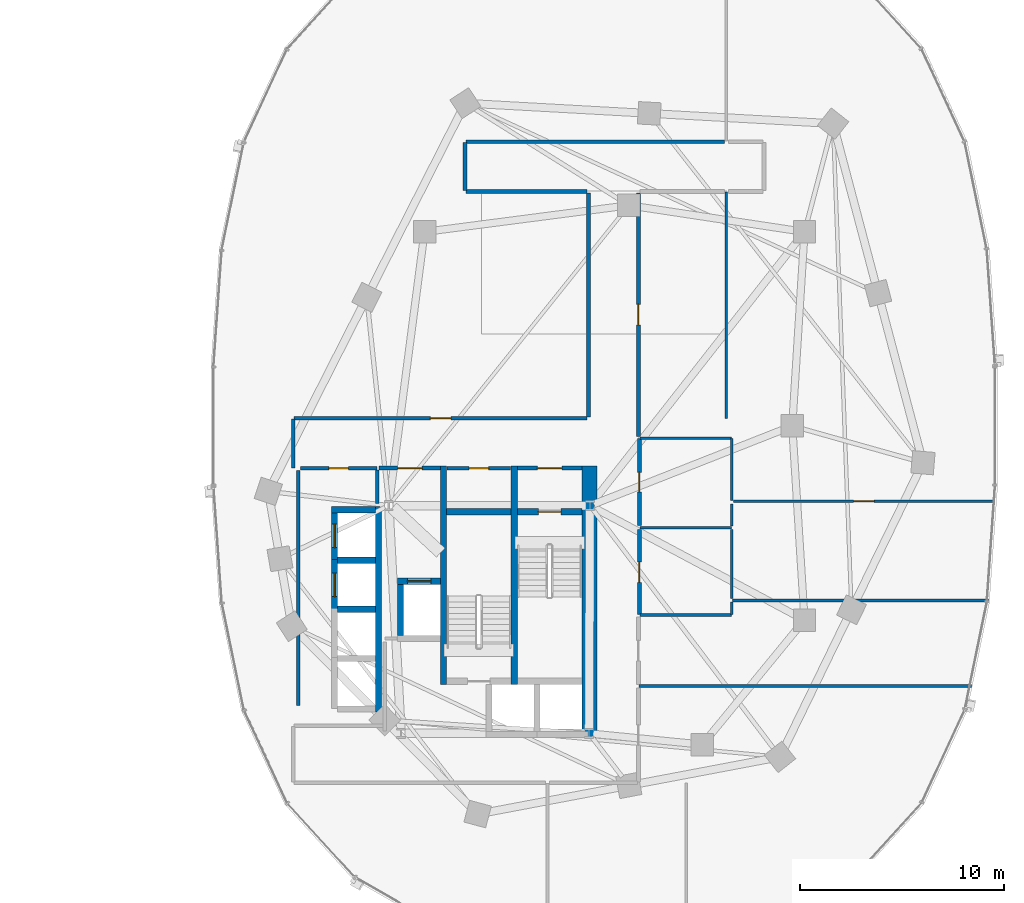
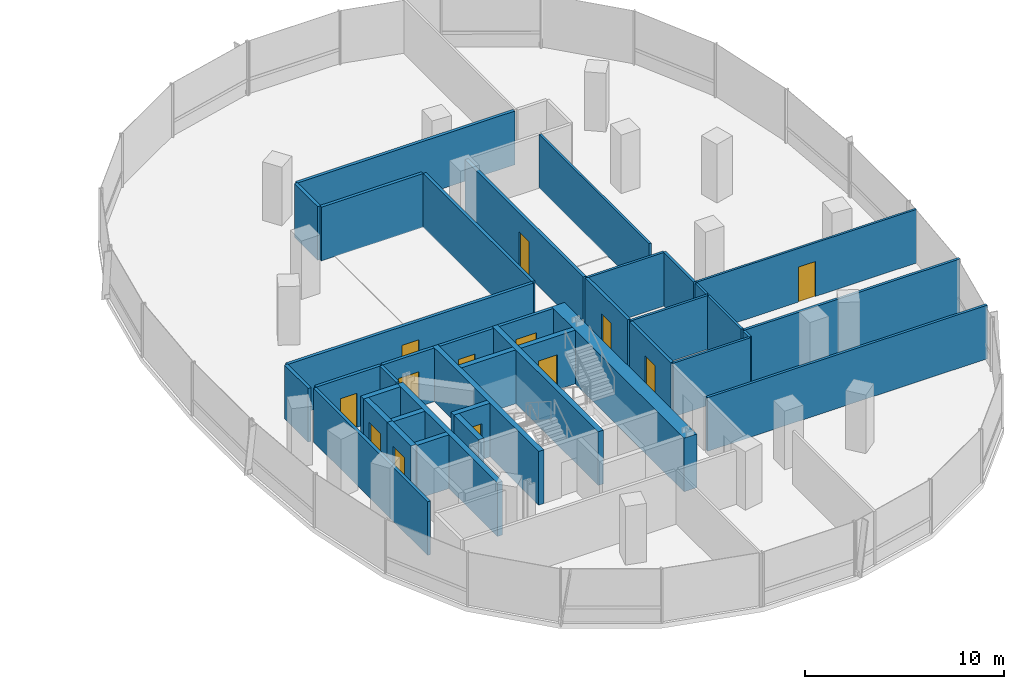
# One storey, part 13 of 21: 39 walls, 13 doors, 13 openings.
"""IFC4 building model written with IfcOpenShell, lengths in metres."""

from ifc_helpers import new_model, si_unit, direction, frame, frame_2d, origin, place, context, subcontext, project, spatial, rectangle, extrude, material, layer, layer_set, type_object, element, fill, save


model = new_model("IFC4")

# Units and contexts
model_context = context("Model", 3, precision=1e-05, world=origin(), true_north=direction((0.0, 1.0)))
body_context = subcontext(model_context, "Body", "Model", "MODEL_VIEW")
ifc_project = project(units=[si_unit("LENGTHUNIT", "METRE"), si_unit("AREAUNIT", "SQUARE_METRE"), si_unit("VOLUMEUNIT", "CUBIC_METRE"), si_unit("PLANEANGLEUNIT", "RADIAN"), si_unit("MASSUNIT", "GRAM", prefix="KILO"), si_unit("THERMODYNAMICTEMPERATUREUNIT", "KELVIN"), si_unit("POWERUNIT", "WATT")], contexts=[model_context])

# Site, building, storey
site_placement = place(None, origin())
site = spatial("IfcSite", under=ifc_project, at=site_placement, CompositionType="ELEMENT")
building_placement = place(site_placement, origin())
building = spatial("IfcBuilding", under=site, at=building_placement, Name="Cundina Bronze Exchange", CompositionType="ELEMENT")
storey_placement = place(building_placement, frame((0.0, 0.0, 81.800048828125)))
storey = spatial("IfcBuildingStorey", under=building, at=storey_placement, Name="L20", CompositionType="ELEMENT", Elevation=81.800048828125)

# Wall
ifc_material_1 = material(Name="Gypsum Fireboard Partition EI120")
ifc_layer_1 = layer(ifc_material_1, 0.179931640625, Name="Gypsum Fireboard Partition EI120")
ifc_layer_set_1 = layer_set([ifc_layer_1], Name="Gypsum Fireboard Partition EI120")
wall_type_1 = type_object("IfcWallType", Name="WL-COR-180", PredefinedType="PARTITIONING", material=ifc_layer_set_1)
wall_1_placement = place(storey_placement, frame((20.889892578125, -3.800048828125, 0.0), z_axis=(0.0, 0.0, 1.0), x_axis=(0.0, 1.0, 0.0)))
element("IfcWall", 1, at=wall_1_placement, inside=storey, type_object=wall_type_1, Name="L20 E Firefighting Lobby Side Wall", PredefinedType="PARTITIONING", context=body_context, shape_type="SweptSolid", body=[
    extrude(rectangle(XDim=1.650146484375, YDim=0.179931640625, at=frame_2d((0.8251953125, 0.0))), origin(), (0.0, 0.0, 1.0), 3.300048828125),
])

# Wall, opening, door
wall_2_placement = place(storey_placement, frame((20.97998046875, -2.06005859375, 0.0), z_axis=(0.0, 0.0, 1.0), x_axis=(1.0, 0.0, 0.0)))
wall_2 = element("IfcWall", 2, at=wall_2_placement, inside=storey, type_object=wall_type_1, Name="L20 E Firefighting Lobby Exit Wall", PredefinedType="PARTITIONING", context=body_context, shape_type="SweptSolid", body=[
    extrude(rectangle(XDim=3.0, YDim=0.179931640625, at=frame_2d((1.5, 0.0))), origin(), (0.0, 0.0, 1.0), 3.300048828125),
])
opening_1_placement = place(wall_2_placement, frame((0.89990234375, 0.0, 0.0)))
opening_1 = element("IfcOpeningElement", 3, at=opening_1_placement, cuts=wall_2, Name="Opening DF-01", PredefinedType="OPENING", context=body_context, shape_type="SweptSolid", body=[
    extrude(rectangle(XDim=1.199951171875, YDim=2.14990234375, at=frame_2d((0.60009765625, 1.074951171875))), frame((0.0, 0.099853515625, 0.0), z_axis=(0.0, -1.0, 0.0), x_axis=(1.0, 0.0, 0.0)), (0.0, 0.0, 1.0), 0.199951171875),
])
ifc_material_2 = material(Name="Steel ASTM A36 Painted", Category="steel")
door_type_1 = type_object("IfcDoorType", Name="DR-FFL-1200", OperationType="NOTDEFINED", PredefinedType="DOOR", material=ifc_material_2)
door_1_placement = place(opening_1_placement, origin())
door_1 = element("IfcDoor", 4, at=door_1_placement, inside=storey, type_object=door_type_1, Name="L20 E Firefighting Lobby Door", OperationType="SINGLE_SWING_LEFT", OverallHeight=2.14990234375, OverallWidth=1.199951171875, PredefinedType="DOOR", context=body_context, shape_type="SweptSolid", body=[
    extrude(rectangle(XDim=1.199951171875, YDim=2.14990234375, at=frame_2d((0.60009765625, 1.074951171875))), frame((0.0, 0.02490234375, 0.0), z_axis=(0.0, -1.0, 0.0), x_axis=(1.0, 0.0, 0.0)), (0.0, 0.0, 1.0), 0.050048828125),
])
fill(opening_1, door_1)

wall_3_placement = place(storey_placement, frame((27.739990234375, -2.06005859375, 0.0), z_axis=(0.0, 0.0, 1.0), x_axis=(1.0, 0.0, 0.0)))
wall_3 = element("IfcWall", 5, at=wall_3_placement, inside=storey, type_object=wall_type_1, Name="L20 E Stair Vestibule Exit Wall", PredefinedType="PARTITIONING", context=body_context, shape_type="SweptSolid", body=[
    extrude(rectangle(XDim=3.159912109375, YDim=0.179931640625, at=frame_2d((1.580078125, 0.0))), origin(), (0.0, 0.0, 1.0), 3.300048828125),
])
opening_2_placement = place(wall_3_placement, frame((0.97998046875, 0.0, 0.0)))
opening_2 = element("IfcOpeningElement", 6, at=opening_2_placement, cuts=wall_3, Name="Opening DF-01", PredefinedType="OPENING", context=body_context, shape_type="SweptSolid", body=[
    extrude(rectangle(XDim=1.199951171875, YDim=2.14990234375, at=frame_2d((0.60009765625, 1.074951171875))), frame((0.0, 0.099853515625, 0.0), z_axis=(0.0, -1.0, 0.0), x_axis=(1.0, 0.0, 0.0)), (0.0, 0.0, 1.0), 0.199951171875),
])
door_2_placement = place(opening_2_placement, origin())
door_2 = element("IfcDoor", 7, at=door_2_placement, inside=storey, type_object=door_type_1, Name="L20 E Stair Vestibule Door", OperationType="SINGLE_SWING_RIGHT", OverallHeight=2.14990234375, OverallWidth=1.199951171875, PredefinedType="DOOR", context=body_context, shape_type="SweptSolid", body=[
    extrude(rectangle(XDim=1.199951171875, YDim=2.14990234375, at=frame_2d((0.60009765625, 1.074951171875))), frame((0.0, 0.02490234375, 0.0), z_axis=(0.0, -1.0, 0.0), x_axis=(1.0, 0.0, 0.0)), (0.0, 0.0, 1.0), 0.050048828125),
])
fill(opening_2, door_2)

# Wall
wall_4_placement = place(storey_placement, frame((17.02001953125, -13.679931640625, 0.0), z_axis=(0.0, 0.0, 1.0), x_axis=(0.0, 1.0, 0.0)))
element("IfcWall", 8, at=wall_4_placement, inside=storey, type_object=wall_type_1, Name="L20 Interior Partition 034", PredefinedType="PARTITIONING", context=body_context, shape_type="SweptSolid", body=[
    extrude(rectangle(XDim=11.510009765625, YDim=0.179931640625, at=frame_2d((5.7548828125, 0.0))), origin(), (0.0, 0.0, 1.0), 3.300048828125),
])

# Wall, opening, door
wall_5_placement = place(storey_placement, frame((17.1201171875, -2.070068359375, 0.0), z_axis=(0.0, 0.0, 1.0), x_axis=(1.0, 0.0, 0.0)))
wall_5 = element("IfcWall", 9, at=wall_5_placement, inside=storey, type_object=wall_type_1, Name="L20 Interior Partition 035", PredefinedType="PARTITIONING", context=body_context, shape_type="SweptSolid", body=[
    extrude(rectangle(XDim=3.75, YDim=0.179931640625, at=frame_2d((1.875, 0.0))), origin(), (0.0, 0.0, 1.0), 3.300048828125),
])
opening_3_placement = place(wall_5_placement, frame((1.39990234375, 0.0, 0.0)))
opening_3 = element("IfcOpeningElement", 10, at=opening_3_placement, cuts=wall_5, Name="Opening DW-01", PredefinedType="OPENING", context=body_context, shape_type="SweptSolid", body=[
    extrude(rectangle(XDim=0.949951171875, YDim=2.10009765625, at=frame_2d((0.47509765625, 1.050048828125))), frame((0.0, 0.099853515625, 0.0), z_axis=(0.0, -1.0, 0.0), x_axis=(1.0, 0.0, 0.0)), (0.0, 0.0, 1.0), 0.199951171875),
])
ifc_material_3 = material(Name="Solid Andean Oak Timber Grade A", Category="wood")
door_type_2 = type_object("IfcDoorType", Name="DR-WC-950", OperationType="NOTDEFINED", PredefinedType="DOOR", material=ifc_material_3)
door_3_placement = place(opening_3_placement, origin())
door_3 = element("IfcDoor", 11, at=door_3_placement, inside=storey, type_object=door_type_2, Name="L20 Interior Door 035", OperationType="SINGLE_SWING_RIGHT", OverallHeight=2.10009765625, OverallWidth=0.949951171875, PredefinedType="DOOR", context=body_context, shape_type="SweptSolid", body=[
    extrude(rectangle(XDim=0.949951171875, YDim=2.10009765625, at=frame_2d((0.47509765625, 1.050048828125))), frame((0.0, 0.02490234375, 0.0), z_axis=(0.0, -1.0, 0.0), x_axis=(1.0, 0.0, 0.0)), (0.0, 0.0, 1.0), 0.050048828125),
])
fill(opening_3, door_3)

wall_6_placement = place(storey_placement, frame((24.300048828125, -2.070068359375, 0.0), z_axis=(0.0, 0.0, 1.0), x_axis=(1.0, 0.0, 0.0)))
wall_6 = element("IfcWall", 12, at=wall_6_placement, inside=storey, type_object=wall_type_1, Name="L20 Interior Partition 038", PredefinedType="PARTITIONING", context=body_context, shape_type="SweptSolid", body=[
    extrude(rectangle(XDim=3.119873046875, YDim=0.179931640625, at=frame_2d((1.56005859375, 0.0))), origin(), (0.0, 0.0, 1.0), 3.300048828125),
])
opening_4_placement = place(wall_6_placement, frame((1.0849609375, 0.0, 0.0)))
opening_4 = element("IfcOpeningElement", 13, at=opening_4_placement, cuts=wall_6, Name="Opening DW-01", PredefinedType="OPENING", context=body_context, shape_type="SweptSolid", body=[
    extrude(rectangle(XDim=0.949951171875, YDim=2.10009765625, at=frame_2d((0.47509765625, 1.050048828125))), frame((0.0, 0.099853515625, 0.0), z_axis=(0.0, -1.0, 0.0), x_axis=(1.0, 0.0, 0.0)), (0.0, 0.0, 1.0), 0.199951171875),
])
door_4_placement = place(opening_4_placement, origin())
door_4 = element("IfcDoor", 14, at=door_4_placement, inside=storey, type_object=door_type_2, Name="L20 Interior Door 038", OperationType="SINGLE_SWING_RIGHT", OverallHeight=2.10009765625, OverallWidth=0.949951171875, PredefinedType="DOOR", context=body_context, shape_type="SweptSolid", body=[
    extrude(rectangle(XDim=0.949951171875, YDim=2.10009765625, at=frame_2d((0.47509765625, 1.050048828125))), frame((0.0, 0.02490234375, 0.0), z_axis=(0.0, -1.0, 0.0), x_axis=(1.0, 0.0, 0.0)), (0.0, 0.0, 1.0), 0.050048828125),
])
fill(opening_4, door_4)

wall_7_placement = place(storey_placement, frame((33.719970703125, -4.8798828125, 0.0), z_axis=(0.0, 0.0, 1.0), x_axis=(0.0, 1.0, 0.0)))
wall_7 = element("IfcWall", 15, at=wall_7_placement, inside=storey, type_object=wall_type_1, Name="L20 Interior Partition 046", PredefinedType="PARTITIONING", context=body_context, shape_type="SweptSolid", body=[
    extrude(rectangle(XDim=4.259765625, YDim=0.179931640625, at=frame_2d((2.1298828125, 0.0))), origin(), (0.0, 0.0, 1.0), 3.300048828125),
])
opening_5_placement = place(wall_7_placement, frame((1.655029296875, 0.0, 0.0)))
opening_5 = element("IfcOpeningElement", 16, at=opening_5_placement, cuts=wall_7, Name="Opening DW-01", PredefinedType="OPENING", context=body_context, shape_type="SweptSolid", body=[
    extrude(rectangle(XDim=0.949951171875, YDim=2.10009765625, at=frame_2d((0.47509765625, 1.050048828125))), frame((0.0, 0.099853515625, 0.0), z_axis=(0.0, -1.0, 0.0), x_axis=(1.0, 0.0, 0.0)), (0.0, 0.0, 1.0), 0.199951171875),
])
door_5_placement = place(opening_5_placement, origin())
door_5 = element("IfcDoor", 17, at=door_5_placement, inside=storey, type_object=door_type_2, Name="L20 Interior Door 046", OperationType="SINGLE_SWING_RIGHT", OverallHeight=2.10009765625, OverallWidth=0.949951171875, PredefinedType="DOOR", context=body_context, shape_type="SweptSolid", body=[
    extrude(rectangle(XDim=0.949951171875, YDim=2.10009765625, at=frame_2d((0.47509765625, 1.050048828125))), frame((0.0, 0.02490234375, 0.0), z_axis=(0.0, -1.0, 0.0), x_axis=(1.0, 0.0, 0.0)), (0.0, 0.0, 1.0), 0.050048828125),
])
fill(opening_5, door_5)

wall_8_placement = place(storey_placement, frame((33.719970703125, -9.239990234375, 0.0), z_axis=(0.0, 0.0, 1.0), x_axis=(0.0, 1.0, 0.0)))
wall_8 = element("IfcWall", 18, at=wall_8_placement, inside=storey, type_object=wall_type_1, Name="L20 Interior Partition 047", PredefinedType="PARTITIONING", context=body_context, shape_type="SweptSolid", body=[
    extrude(rectangle(XDim=4.159912109375, YDim=0.179931640625, at=frame_2d((2.080078125, 0.0))), origin(), (0.0, 0.0, 1.0), 3.300048828125),
])
opening_6_placement = place(wall_8_placement, frame((1.580078125, 0.0, 0.0)))
opening_6 = element("IfcOpeningElement", 19, at=opening_6_placement, cuts=wall_8, Name="Opening DO-01", PredefinedType="OPENING", context=body_context, shape_type="SweptSolid", body=[
    extrude(rectangle(XDim=1.0, YDim=2.14990234375, at=frame_2d((0.5, 1.074951171875))), frame((0.0, 0.099853515625, 0.0), z_axis=(0.0, -1.0, 0.0), x_axis=(1.0, 0.0, 0.0)), (0.0, 0.0, 1.0), 0.199951171875),
])
door_type_3 = type_object("IfcDoorType", Name="DR-OFF-1000", OperationType="NOTDEFINED", PredefinedType="DOOR", material=ifc_material_3)
door_6_placement = place(opening_6_placement, origin())
door_6 = element("IfcDoor", 20, at=door_6_placement, inside=storey, type_object=door_type_3, Name="L20 Interior Door 047", OperationType="SINGLE_SWING_RIGHT", OverallHeight=2.14990234375, OverallWidth=1.0, PredefinedType="DOOR", context=body_context, shape_type="SweptSolid", body=[
    extrude(rectangle(XDim=1.0, YDim=2.14990234375, at=frame_2d((0.5, 1.074951171875))), frame((0.0, 0.02490234375, 0.0), z_axis=(0.0, -1.0, 0.0), x_axis=(1.0, 0.0, 0.0)), (0.0, 0.0, 1.0), 0.050048828125),
])
fill(opening_6, door_6)

wall_9_placement = place(storey_placement, frame((31.14990234375, 0.3701171875, 0.0), z_axis=(0.0, 0.0, 1.0), x_axis=(-1.0, 0.0, 0.0)))
wall_9 = element("IfcWall", 21, at=wall_9_placement, inside=storey, type_object=wall_type_1, Name="L20 Interior Partition 057", PredefinedType="PARTITIONING", context=body_context, shape_type="SweptSolid", body=[
    extrude(rectangle(XDim=14.328369140625, YDim=0.179931640625, at=frame_2d((7.1640625, 0.0))), origin(), (0.0, 0.0, 1.0), 3.300048828125),
])
opening_7_placement = place(wall_9_placement, frame((6.664306640625, 0.0, 0.0)))
opening_7 = element("IfcOpeningElement", 22, at=opening_7_placement, cuts=wall_9, Name="Opening DO-01", PredefinedType="OPENING", context=body_context, shape_type="SweptSolid", body=[
    extrude(rectangle(XDim=1.0, YDim=2.14990234375, at=frame_2d((0.5, 1.074951171875))), frame((0.0, 0.099853515625, 0.0), z_axis=(0.0, -1.0, 0.0), x_axis=(1.0, 0.0, 0.0)), (0.0, 0.0, 1.0), 0.199951171875),
])
door_7_placement = place(opening_7_placement, origin())
door_7 = element("IfcDoor", 23, at=door_7_placement, inside=storey, type_object=door_type_3, Name="L20 Interior Door 057", OperationType="SINGLE_SWING_RIGHT", OverallHeight=2.14990234375, OverallWidth=1.0, PredefinedType="DOOR", context=body_context, shape_type="SweptSolid", body=[
    extrude(rectangle(XDim=1.0, YDim=2.14990234375, at=frame_2d((0.5, 1.074951171875))), frame((0.0, 0.02490234375, 0.0), z_axis=(0.0, -1.0, 0.0), x_axis=(1.0, 0.0, 0.0)), (0.0, 0.0, 1.0), 0.050048828125),
])
fill(opening_7, door_7)

# Walls
wall_10_placement = place(storey_placement, frame((37.889892578125, 13.919921875, 0.0), z_axis=(0.0, 0.0, 1.0), x_axis=(-1.0, 0.0, 0.0)))
element("IfcWall", 24, at=wall_10_placement, inside=storey, type_object=wall_type_1, Name="L20 Interior Partition 058", PredefinedType="PARTITIONING", context=body_context, shape_type="SweptSolid", body=[
    extrude(rectangle(XDim=12.66845703125, YDim=0.179931640625, at=frame_2d((6.334228515625, 0.0))), origin(), (0.0, 0.0, 1.0), 3.300048828125),
])
wall_11_placement = place(storey_placement, frame((31.22998046875, 11.39990234375, 0.0), z_axis=(0.0, 0.0, 1.0), x_axis=(0.0, -1.0, 0.0)))
element("IfcWall", 25, at=wall_11_placement, inside=storey, type_object=wall_type_1, Name="L20 Interior Partition 060", PredefinedType="PARTITIONING", context=body_context, shape_type="SweptSolid", body=[
    extrude(rectangle(XDim=10.949951171875, YDim=0.179931640625, at=frame_2d((5.47509765625, 0.0))), origin(), (0.0, 0.0, 1.0), 3.300048828125),
])
wall_12_placement = place(storey_placement, frame((25.221435546875, 11.47998046875, 0.0), z_axis=(0.0, 0.0, 1.0), x_axis=(1.0, 0.0, 0.0)))
element("IfcWall", 26, at=wall_12_placement, inside=storey, type_object=wall_type_1, Name="L20 Interior Partition 061", PredefinedType="PARTITIONING", context=body_context, shape_type="SweptSolid", body=[
    extrude(rectangle(XDim=5.928466796875, YDim=0.179931640625, at=frame_2d((2.96435546875, 0.0))), origin(), (0.0, 0.0, 1.0), 3.300048828125),
])
wall_13_placement = place(storey_placement, frame((16.780029296875, 0.32861328125, 0.0), z_axis=(0.0, 0.0, 1.0), x_axis=(0.0, -1.0, 0.0)))
element("IfcWall", 27, at=wall_13_placement, inside=storey, type_object=wall_type_1, Name="L20 Interior Partition 064", PredefinedType="PARTITIONING", context=body_context, shape_type="SweptSolid", body=[
    extrude(rectangle(XDim=2.38720703125, YDim=0.179931640625, at=frame_2d((1.193603515625, 0.0))), origin(), (0.0, 0.0, 1.0), 3.300048828125),
])
wall_14_placement = place(storey_placement, frame((25.179931640625, 13.87841796875, 0.0), z_axis=(0.0, 0.0, 1.0), x_axis=(0.0, -1.0, 0.0)))
element("IfcWall", 28, at=wall_14_placement, inside=storey, type_object=wall_type_1, Name="L20 Interior Partition 065", PredefinedType="PARTITIONING", context=body_context, shape_type="SweptSolid", body=[
    extrude(rectangle(XDim=2.35693359375, YDim=0.179931640625, at=frame_2d((1.178466796875, 0.0))), origin(), (0.0, 0.0, 1.0), 3.300048828125),
])

# Wall, opening, door
wall_15_placement = place(storey_placement, frame((33.669921875, -0.508544921875, 0.0), z_axis=(0.0, 0.0, 1.0), x_axis=(0.0, 1.0, 0.0)))
wall_15 = element("IfcWall", 29, at=wall_15_placement, inside=storey, type_object=wall_type_1, Name="L20 Interior Partition 066", PredefinedType="PARTITIONING", context=body_context, shape_type="SweptSolid", body=[
    extrude(rectangle(XDim=11.908447265625, YDim=0.179931640625, at=frame_2d((5.9541015625, 0.0))), origin(), (0.0, 0.0, 1.0), 3.300048828125),
])
opening_8_placement = place(wall_15_placement, frame((5.454345703125, 0.0, 0.0)))
opening_8 = element("IfcOpeningElement", 30, at=opening_8_placement, cuts=wall_15, Name="Opening DO-01", PredefinedType="OPENING", context=body_context, shape_type="SweptSolid", body=[
    extrude(rectangle(XDim=1.0, YDim=2.14990234375, at=frame_2d((0.5, 1.074951171875))), frame((0.0, 0.099853515625, 0.0), z_axis=(0.0, -1.0, 0.0), x_axis=(1.0, 0.0, 0.0)), (0.0, 0.0, 1.0), 0.199951171875),
])
door_8_placement = place(opening_8_placement, origin())
door_8 = element("IfcDoor", 31, at=door_8_placement, inside=storey, type_object=door_type_3, Name="L20 Interior Door 066", OperationType="SINGLE_SWING_LEFT", OverallHeight=2.14990234375, OverallWidth=1.0, PredefinedType="DOOR", context=body_context, shape_type="SweptSolid", body=[
    extrude(rectangle(XDim=1.0, YDim=2.14990234375, at=frame_2d((0.5, 1.074951171875))), frame((0.0, 0.02490234375, 0.0), z_axis=(0.0, -1.0, 0.0), x_axis=(1.0, 0.0, 0.0)), (0.0, 0.0, 1.0), 0.050048828125),
])
fill(opening_8, door_8)

# Walls
ifc_material_4 = material(Name="Concrete C60/75", Category="concrete")
ifc_layer_2 = layer(ifc_material_4, 0.75, Name="Concrete C60/75", Category="concrete")
ifc_layer_set_2 = layer_set([ifc_layer_2], Name="Concrete C60/75")
wall_type_2 = type_object("IfcWallType", Name="WL-CORE-750", PredefinedType="SHEAR", material=ifc_layer_set_2)
wall_16_placement = place(storey_placement, frame((31.27490234375, -15.300048828125, 0.0), z_axis=(0.0, 0.0, 1.0), x_axis=(0.0, 1.0, 0.0)))
element("IfcWall", 32, at=wall_16_placement, inside=storey, type_object=wall_type_2, Name="L20 E Primary Core Shear Spine Wall", PredefinedType="SHEAR", context=body_context, shape_type="SweptSolid", body=[
    extrude(rectangle(XDim=13.330078125, YDim=0.75, at=frame_2d((6.6650390625, 0.0))), origin(), (0.0, 0.0, 1.0), 3.300048828125),
])
ifc_material_5 = material(Name="Gypsum Acoustic Partition EI60")
ifc_layer_3 = layer(ifc_material_5, 0.125, Name="Gypsum Acoustic Partition EI60")
ifc_layer_set_3 = layer_set([ifc_layer_3], Name="Gypsum Acoustic Partition EI60")
wall_type_3 = type_object("IfcWallType", Name="WL-OFF-125", PredefinedType="PARTITIONING", material=ifc_layer_set_3)
wall_17_placement = place(storey_placement, frame((37.97998046875, 0.3701171875, 0.0), z_axis=(0.0, 0.0, 1.0), x_axis=(0.0, 1.0, 0.0)))
element("IfcWall", 33, at=wall_17_placement, inside=storey, type_object=wall_type_3, Name="L20 Interior Partition 048", PredefinedType="PARTITIONING", context=body_context, shape_type="SweptSolid", body=[
    extrude(rectangle(XDim=11.079833984375, YDim=0.125, at=frame_2d((5.5400390625, 0.0))), origin(), (0.0, 0.0, 1.0), 3.300048828125),
])

# Wall, opening, door
wall_18_placement = place(storey_placement, frame((38.320068359375, -3.68994140625, 0.0), z_axis=(0.0, 0.0, 1.0), x_axis=(1.0, 0.0, 0.0)))
wall_18 = element("IfcWall", 34, at=wall_18_placement, inside=storey, type_object=wall_type_3, Name="L20 Interior Partition 071", PredefinedType="PARTITIONING", context=body_context, shape_type="SweptSolid", body=[
    extrude(rectangle(XDim=12.77587890625, YDim=0.125, at=frame_2d((6.387939453125, 0.0))), origin(), (0.0, 0.0, 1.0), 3.300048828125),
])
opening_9_placement = place(wall_18_placement, frame((5.887939453125, 0.0, 0.0)))
opening_9 = element("IfcOpeningElement", 35, at=opening_9_placement, cuts=wall_18, Name="Opening DO-01", PredefinedType="OPENING", context=body_context, shape_type="SweptSolid", body=[
    extrude(rectangle(XDim=1.0, YDim=2.14990234375, at=frame_2d((0.5, 1.074951171875))), frame((0.0, 0.072509765625, 0.0), z_axis=(0.0, -1.0, 0.0), x_axis=(1.0, 0.0, 0.0)), (0.0, 0.0, 1.0), 0.14501953125),
])
door_9_placement = place(opening_9_placement, origin())
door_9 = element("IfcDoor", 36, at=door_9_placement, inside=storey, type_object=door_type_3, Name="L20 Interior Door 071", OperationType="SINGLE_SWING_RIGHT", OverallHeight=2.14990234375, OverallWidth=1.0, PredefinedType="DOOR", context=body_context, shape_type="SweptSolid", body=[
    extrude(rectangle(XDim=1.0, YDim=2.14990234375, at=frame_2d((0.5, 1.074951171875))), frame((0.0, 0.02490234375, 0.0), z_axis=(0.0, -1.0, 0.0), x_axis=(1.0, 0.0, 0.0)), (0.0, 0.0, 1.0), 0.050048828125),
])
fill(opening_9, door_9)

# Walls
ifc_material_6 = material(Name="Concrete C50/60", Category="concrete")
ifc_layer_4 = layer(ifc_material_6, 0.300048828125, Name="Concrete C50/60", Category="concrete")
ifc_layer_set_4 = layer_set([ifc_layer_4], Name="Concrete C50/60")
wall_type_4 = type_object("IfcWallType", Name="WL-SHFT-300", PredefinedType="SHEAR", material=ifc_layer_set_4)
for number, where, z_axis, x_axis, name in (
    (37, (27.590087890625, -12.64990234375, 0.0), (0.0, 0.0, 1.0), (0.0, 1.0, 0.0), "L20 E Stair Shaft Dividing Shear Wall"),
    (38, (24.1298828125, -12.64990234375, 0.0), (0.0, 0.0, 1.0), (0.0, 1.0, 0.0), "L20 E Stair 2 East Shear Wall"),
):
    element("IfcWall", number, at=place(storey_placement, frame(where, z_axis=z_axis, x_axis=x_axis)), inside=storey, type_object=wall_type_4, Name=name, PredefinedType="SHEAR", context=body_context, shape_type="SweptSolid", body=[
        extrude(rectangle(XDim=10.679931640625, YDim=0.300048828125, at=frame_2d((5.33984375, 0.0))), origin(), (0.0, 0.0, 1.0), 3.300048828125),
    ])

# Wall, opening, door
wall_19_placement = place(storey_placement, frame((27.739990234375, -4.199951171875, 0.0), z_axis=(0.0, 0.0, 1.0), x_axis=(1.0, 0.0, 0.0)))
wall_19 = element("IfcWall", 39, at=wall_19_placement, inside=storey, type_object=wall_type_4, Name="L20 Stair E1 Landing Wall", PredefinedType="SHEAR", context=body_context, shape_type="SweptSolid", body=[
    extrude(rectangle(XDim=3.159912109375, YDim=0.300048828125, at=frame_2d((1.580078125, 0.0))), origin(), (0.0, 0.0, 1.0), 3.300048828125),
])
opening_10_placement = place(wall_19_placement, frame((1.030029296875, 0.0, 0.0)))
opening_10 = element("IfcOpeningElement", 40, at=opening_10_placement, cuts=wall_19, Name="Opening DS-01", PredefinedType="OPENING", context=body_context, shape_type="SweptSolid", body=[
    extrude(rectangle(XDim=1.10009765625, YDim=2.14990234375, at=frame_2d((0.550048828125, 1.074951171875))), frame((0.0, 0.159912109375, 0.0), z_axis=(0.0, -1.0, 0.0), x_axis=(1.0, 0.0, 0.0)), (0.0, 0.0, 1.0), 0.320068359375),
])
door_type_4 = type_object("IfcDoorType", Name="DR-STR-1100", OperationType="NOTDEFINED", PredefinedType="DOOR", material=ifc_material_2)
door_10_placement = place(opening_10_placement, origin())
door_10 = element("IfcDoor", 41, at=door_10_placement, inside=storey, type_object=door_type_4, Name="L20 Smokeproof Stair E1 Door", OperationType="SINGLE_SWING_LEFT", OverallHeight=2.14990234375, OverallWidth=1.10009765625, PredefinedType="DOOR", context=body_context, shape_type="SweptSolid", body=[
    extrude(rectangle(XDim=1.10009765625, YDim=2.14990234375, at=frame_2d((0.550048828125, 1.074951171875))), frame((0.0, 0.02490234375, 0.0), z_axis=(0.0, -1.0, 0.0), x_axis=(1.0, 0.0, 0.0)), (0.0, 0.0, 1.0), 0.050048828125),
])
fill(opening_10, door_10)

# Wall
wall_20_placement = place(storey_placement, frame((24.280029296875, -4.199951171875, 0.0), z_axis=(0.0, 0.0, 1.0), x_axis=(1.0, 0.0, 0.0)))
element("IfcWall", 42, at=wall_20_placement, inside=storey, type_object=wall_type_4, Name="L20 Stair E2 Far Shaft Wall", PredefinedType="SHEAR", context=body_context, shape_type="SweptSolid", body=[
    extrude(rectangle(XDim=3.159912109375, YDim=0.300048828125, at=frame_2d((1.580078125, 0.0))), origin(), (0.0, 0.0, 1.0), 3.300048828125),
])

# Wall, opening, door
wall_21_placement = place(storey_placement, frame((21.8798828125, -7.60009765625, 0.0), z_axis=(0.0, 0.0, 1.0), x_axis=(1.0, 0.0, 0.0)))
wall_21 = element("IfcWall", 43, at=wall_21_placement, inside=storey, type_object=wall_type_4, Name="L20 FFL-E Hoistway Front Wall", PredefinedType="SHEAR", context=body_context, shape_type="SweptSolid", body=[
    extrude(rectangle(XDim=2.10009765625, YDim=0.300048828125, at=frame_2d((1.050048828125, 0.0))), origin(), (0.0, 0.0, 1.0), 3.300048828125),
])
opening_11_placement = place(wall_21_placement, frame((0.47509765625, 0.0, 0.0)))
opening_11 = element("IfcOpeningElement", 44, at=opening_11_placement, cuts=wall_21, Name="Opening LD-01", PredefinedType="OPENING", context=body_context, shape_type="SweptSolid", body=[
    extrude(rectangle(XDim=1.14990234375, YDim=2.199951171875, at=frame_2d((0.574951171875, 1.10009765625))), frame((0.0, 0.159912109375, 0.0), z_axis=(0.0, -1.0, 0.0), x_axis=(1.0, 0.0, 0.0)), (0.0, 0.0, 1.0), 0.320068359375),
])
door_type_5 = type_object("IfcDoorType", Name="DR-LND-1150", OperationType="NOTDEFINED", PredefinedType="TRAPDOOR", material=ifc_material_2)
door_11_placement = place(opening_11_placement, origin())
door_11 = element("IfcDoor", 45, at=door_11_placement, inside=storey, type_object=door_type_5, Name="L20 FFL-E Sliding Landing Door", OperationType="SLIDING_TO_LEFT", OverallHeight=2.199951171875, OverallWidth=1.14990234375, PredefinedType="TRAPDOOR", context=body_context, shape_type="SweptSolid", body=[
    extrude(rectangle(XDim=1.14990234375, YDim=2.199951171875, at=frame_2d((0.574951171875, 1.10009765625))), frame((0.0, 0.02490234375, 0.0), z_axis=(0.0, -1.0, 0.0), x_axis=(1.0, 0.0, 0.0)), (0.0, 0.0, 1.0), 0.050048828125),
])
fill(opening_11, door_11)

# Walls
wall_22_placement = place(storey_placement, frame((22.030029296875, -10.25, 0.0), z_axis=(0.0, 0.0, 1.0), x_axis=(0.0, 1.0, 0.0)))
element("IfcWall", 46, at=wall_22_placement, inside=storey, type_object=wall_type_4, Name="L20 FFL-E Hoistway Side Wall", PredefinedType="SHEAR", context=body_context, shape_type="SweptSolid", body=[
    extrude(rectangle(XDim=2.5, YDim=0.300048828125, at=frame_2d((1.25, 0.0))), origin(), (0.0, 0.0, 1.0), 3.300048828125),
])
wall_23_placement = place(storey_placement, frame((20.949951171875, -14.0, 0.0), z_axis=(0.0, 0.0, 1.0), x_axis=(0.0, 1.0, 0.0)))
element("IfcWall", 47, at=wall_23_placement, inside=storey, type_object=wall_type_4, Name="L20 E Passenger Bank Hoistway Back Wall", PredefinedType="SHEAR", context=body_context, shape_type="SweptSolid", body=[
    extrude(rectangle(XDim=10.050048828125, YDim=0.300048828125, at=frame_2d((5.02490234375, 0.0))), origin(), (0.0, 0.0, 1.0), 3.300048828125),
])
wall_24_placement = place(storey_placement, frame((18.64990234375, -4.10009765625, 0.0), z_axis=(0.0, 0.0, 1.0), x_axis=(1.0, 0.0, 0.0)))
element("IfcWall", 48, at=wall_24_placement, inside=storey, type_object=wall_type_4, Name="L20 E Passenger Bank North Cap Wall", PredefinedType="SHEAR", context=body_context, shape_type="SweptSolid", body=[
    extrude(rectangle(XDim=2.150146484375, YDim=0.300048828125, at=frame_2d((1.0751953125, 0.0))), origin(), (0.0, 0.0, 1.0), 3.300048828125),
])
for number, where, z_axis, x_axis, name in (
    (49, (18.949951171875, -8.97509765625, 0.0), (0.0, 0.0, 1.0), (1.0, 0.0, 0.0), "L20 E Passenger Hoistway Divider 2"),
    (50, (18.949951171875, -6.574951171875, 0.0), (0.0, 0.0, 1.0), (1.0, 0.0, 0.0), "L20 E Passenger Hoistway Divider 3"),
):
    element("IfcWall", number, at=place(storey_placement, frame(where, z_axis=z_axis, x_axis=x_axis)), inside=storey, type_object=wall_type_4, Name=name, PredefinedType="SHEAR", context=body_context, shape_type="SweptSolid", body=[
        extrude(rectangle(XDim=1.85009765625, YDim=0.300048828125, at=frame_2d((0.925048828125, 0.0))), origin(), (0.0, 0.0, 1.0), 3.300048828125),
    ])

# Wall, opening, door
wall_25_placement = place(storey_placement, frame((18.800048828125, -9.02001953125, 0.0), z_axis=(0.0, 0.0, 1.0), x_axis=(0.0, 1.0, 0.0)))
wall_25 = element("IfcWall", 51, at=wall_25_placement, inside=storey, type_object=wall_type_4, Name="L20 PL-E1 Hoistway Front Wall", PredefinedType="SHEAR", context=body_context, shape_type="SweptSolid", body=[
    extrude(rectangle(XDim=2.489990234375, YDim=0.300048828125, at=frame_2d((1.2451171875, 0.0))), origin(), (0.0, 0.0, 1.0), 3.300048828125),
])
opening_12_placement = place(wall_25_placement, frame((0.669921875, 0.0, 0.0)))
opening_12 = element("IfcOpeningElement", 52, at=opening_12_placement, cuts=wall_25, Name="Opening LD-01", PredefinedType="OPENING", context=body_context, shape_type="SweptSolid", body=[
    extrude(rectangle(XDim=1.14990234375, YDim=2.199951171875, at=frame_2d((0.574951171875, 1.10009765625))), frame((0.0, 0.159912109375, 0.0), z_axis=(0.0, -1.0, 0.0), x_axis=(1.0, 0.0, 0.0)), (0.0, 0.0, 1.0), 0.320068359375),
])
door_12_placement = place(opening_12_placement, origin())
door_12 = element("IfcDoor", 53, at=door_12_placement, inside=storey, type_object=door_type_5, Name="L20 PL-E1 Sliding Landing Door", OperationType="SLIDING_TO_LEFT", OverallHeight=2.199951171875, OverallWidth=1.14990234375, PredefinedType="TRAPDOOR", context=body_context, shape_type="SweptSolid", body=[
    extrude(rectangle(XDim=1.14990234375, YDim=2.199951171875, at=frame_2d((0.574951171875, 1.10009765625))), frame((0.0, 0.02490234375, 0.0), z_axis=(0.0, -1.0, 0.0), x_axis=(1.0, 0.0, 0.0)), (0.0, 0.0, 1.0), 0.050048828125),
])
fill(opening_12, door_12)

wall_26_placement = place(storey_placement, frame((18.800048828125, -6.6201171875, 0.0), z_axis=(0.0, 0.0, 1.0), x_axis=(0.0, 1.0, 0.0)))
wall_26 = element("IfcWall", 54, at=wall_26_placement, inside=storey, type_object=wall_type_4, Name="L20 PL-E2 Hoistway Front Wall", PredefinedType="SHEAR", context=body_context, shape_type="SweptSolid", body=[
    extrude(rectangle(XDim=2.490234375, YDim=0.300048828125, at=frame_2d((1.2451171875, 0.0))), origin(), (0.0, 0.0, 1.0), 3.300048828125),
])
opening_13_placement = place(wall_26_placement, frame((0.669921875, 0.0, 0.0)))
opening_13 = element("IfcOpeningElement", 55, at=opening_13_placement, cuts=wall_26, Name="Opening LD-01", PredefinedType="OPENING", context=body_context, shape_type="SweptSolid", body=[
    extrude(rectangle(XDim=1.14990234375, YDim=2.199951171875, at=frame_2d((0.574951171875, 1.10009765625))), frame((0.0, 0.159912109375, 0.0), z_axis=(0.0, -1.0, 0.0), x_axis=(1.0, 0.0, 0.0)), (0.0, 0.0, 1.0), 0.320068359375),
])
door_13_placement = place(opening_13_placement, origin())
door_13 = element("IfcDoor", 56, at=door_13_placement, inside=storey, type_object=door_type_5, Name="L20 PL-E2 Sliding Landing Door", OperationType="SLIDING_TO_LEFT", OverallHeight=2.199951171875, OverallWidth=1.14990234375, PredefinedType="TRAPDOOR", context=body_context, shape_type="SweptSolid", body=[
    extrude(rectangle(XDim=1.14990234375, YDim=2.199951171875, at=frame_2d((0.574951171875, 1.10009765625))), frame((0.0, 0.02490234375, 0.0), z_axis=(0.0, -1.0, 0.0), x_axis=(1.0, 0.0, 0.0)), (0.0, 0.0, 1.0), 0.050048828125),
])
fill(opening_13, door_13)

# Walls
ifc_layer_5 = layer(ifc_material_5, 0.14990234375, Name="Gypsum Acoustic Partition EI60")
ifc_layer_set_5 = layer_set([ifc_layer_5], Name="Gypsum Acoustic Partition EI60")
wall_type_5 = type_object("IfcWallType", Name="WL-TEN-150", PredefinedType="PARTITIONING", material=ifc_layer_set_5)
wall_27_placement = place(storey_placement, frame((38.27001953125, -8.5400390625, 0.0), z_axis=(0.0, 0.0, 1.0), x_axis=(1.0, 0.0, 0.0)))
element("IfcWall", 57, at=wall_27_placement, inside=storey, type_object=wall_type_5, Name="L20 Interior Partition 050", PredefinedType="PARTITIONING", context=body_context, shape_type="SweptSolid", body=[
    extrude(rectangle(XDim=12.54296875, YDim=0.14990234375, at=frame_2d((6.271484375, 0.0))), origin(), (0.0, 0.0, 1.0), 3.300048828125),
])
wall_28_placement = place(storey_placement, frame((33.699951171875, -12.739990234375, 0.0), z_axis=(0.0, 0.0, 1.0), x_axis=(1.0, 0.0, 0.0)))
element("IfcWall", 58, at=wall_28_placement, inside=storey, type_object=wall_type_5, Name="L20 Interior Partition 051", PredefinedType="PARTITIONING", context=body_context, shape_type="SweptSolid", body=[
    extrude(rectangle(XDim=16.263916015625, YDim=0.14990234375, at=frame_2d((8.1318359375, 0.0))), origin(), (0.0, 0.0, 1.0), 3.300048828125),
])
ifc_material_7 = material(Name="Moisture-Resistant Masonry Block Grade M15", Category="masonry")
ifc_layer_6 = layer(ifc_material_7, 0.139892578125, Name="Moisture-Resistant Masonry Block Grade M15", Category="masonry")
ifc_layer_set_6 = layer_set([ifc_layer_6], Name="Moisture-Resistant Masonry Block Grade M15")
wall_type_6 = type_object("IfcWallType", Name="WL-WET-140", PredefinedType="PARTITIONING", material=ifc_layer_set_6)
wall_29_placement = place(storey_placement, frame((38.239990234375, -9.239990234375, 0.0), z_axis=(0.0, 0.0, 1.0), x_axis=(0.0, 1.0, 0.0)))
element("IfcWall", 59, at=wall_29_placement, inside=storey, type_object=wall_type_6, Name="L20 Interior Partition 039", PredefinedType="PARTITIONING", context=body_context, shape_type="SweptSolid", body=[
    extrude(rectangle(XDim=0.614990234375, YDim=0.139892578125, at=frame_2d((0.3076171875, 0.0))), origin(), (0.0, 0.0, 1.0), 3.300048828125),
])
wall_30_placement = place(storey_placement, frame((38.239990234375, -8.455078125, 0.0), z_axis=(0.0, 0.0, 1.0), x_axis=(0.0, 1.0, 0.0)))
element("IfcWall", 60, at=wall_30_placement, inside=storey, type_object=wall_type_6, Name="L20 Interior Partition 040", PredefinedType="PARTITIONING", context=body_context, shape_type="SweptSolid", body=[
    extrude(rectangle(XDim=3.39013671875, YDim=0.139892578125, at=frame_2d((1.695068359375, 0.0))), origin(), (0.0, 0.0, 1.0), 3.300048828125),
])
wall_31_placement = place(storey_placement, frame((38.239990234375, -4.89501953125, 0.0), z_axis=(0.0, 0.0, 1.0), x_axis=(0.0, 1.0, 0.0)))
element("IfcWall", 61, at=wall_31_placement, inside=storey, type_object=wall_type_6, Name="L20 Interior Partition 041", PredefinedType="PARTITIONING", context=body_context, shape_type="SweptSolid", body=[
    extrude(rectangle(XDim=1.070068359375, YDim=0.139892578125, at=frame_2d((0.53515625, 0.0))), origin(), (0.0, 0.0, 1.0), 3.300048828125),
])
wall_32_placement = place(storey_placement, frame((38.239990234375, -3.655029296875, 0.0), z_axis=(0.0, 0.0, 1.0), x_axis=(0.0, 1.0, 0.0)))
element("IfcWall", 62, at=wall_32_placement, inside=storey, type_object=wall_type_6, Name="L20 Interior Partition 042", PredefinedType="PARTITIONING", context=body_context, shape_type="SweptSolid", body=[
    extrude(rectangle(XDim=3.034912109375, YDim=0.139892578125, at=frame_2d((1.517578125, 0.0))), origin(), (0.0, 0.0, 1.0), 3.300048828125),
])
for number, where, z_axis, x_axis, name in (
    (63, (33.739990234375, -0.60009765625, 0.0), (0.0, 0.0, 1.0), (1.0, 0.0, 0.0), "L20 Interior Partition 043"),
    (64, (33.739990234375, -4.97998046875, 0.0), (0.0, 0.0, 1.0), (1.0, 0.0, 0.0), "L20 Interior Partition 044"),
    (65, (33.739990234375, -9.260009765625, 0.0), (0.0, 0.0, 1.0), (1.0, 0.0, 0.0), "L20 Interior Partition 045"),
):
    element("IfcWall", number, at=place(storey_placement, frame(where, z_axis=z_axis, x_axis=x_axis)), inside=storey, type_object=wall_type_6, Name=name, PredefinedType="PARTITIONING", context=body_context, shape_type="SweptSolid", body=[
        extrude(rectangle(XDim=4.47998046875, YDim=0.139892578125, at=frame_2d((2.239990234375, 0.0))), origin(), (0.0, 0.0, 1.0), 3.300048828125),
    ])

save(model, "model.ifc")
